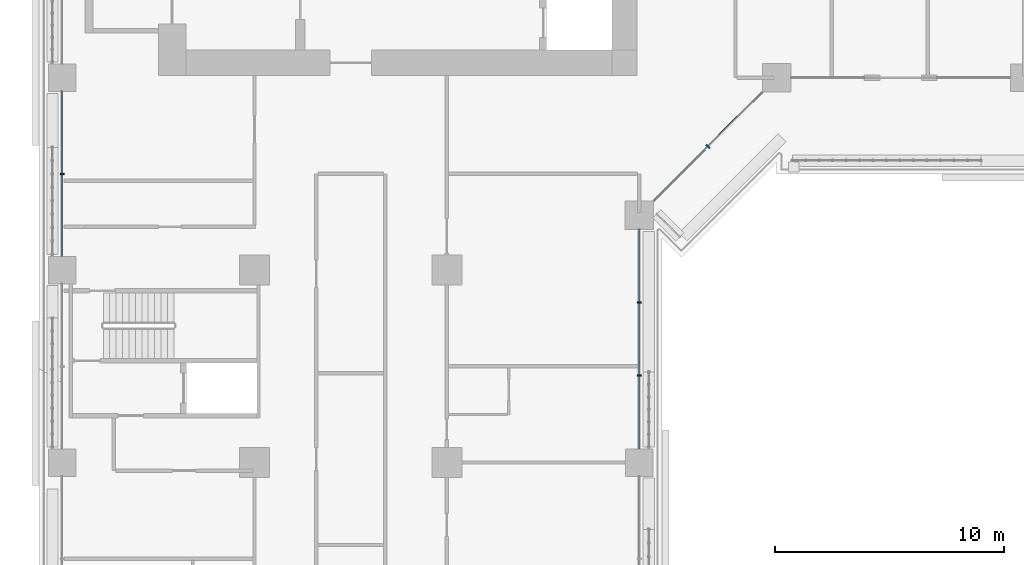
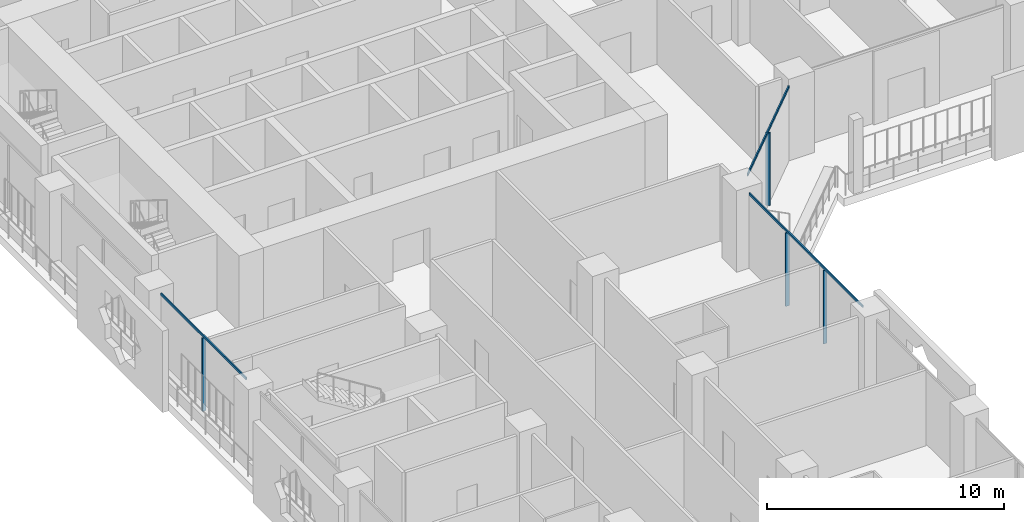
# One storey, part 4 of 28: 7 members, 3 elements without a shape of their own.
"""IFC4 building model written with IfcOpenShell, lengths in metres."""

import ifcopenshell
import ifcopenshell.guid

model = None  # the IFC model being written
_history = None  # IfcOwnerHistory: only IFC2X3 demands one
_inside = {}  # id of a spatial element -> (the spatial element, [elements in it])
_under = {}  # id of a project, library or spatial element -> (it, [spatial elements below it])
_declared = {}  # id of a project -> (the project, [libraries it declares])
_typed = {}  # id of a type object -> (the type object, [elements of that type])
_made_of = {}  # id of a material, layer set ... -> (it, [elements and type objects made of it])


def new_model(schema):
    """Start an empty IFC model of exactly this schema.

    Asked for "IFC4X3", IfcOpenShell would pick the latest addendum, in which some entities
    have other attributes; the version numbers below select the first issue.
    IFC2X3 requires an IfcOwnerHistory on every rooted entity: one is made here for all.
    """
    global model, _history
    if schema == "IFC4X3":
        model = ifcopenshell.file(schema_version=(4, 3, 0, 0))
    else:
        model = ifcopenshell.file(schema=schema)
    _inside.clear()
    _under.clear()
    _declared.clear()
    _typed.clear()
    _made_of.clear()
    _history = None
    if model.schema == "IFC2X3":
        org = make("IfcOrganization", Name="unknown")
        user = make(
            "IfcPersonAndOrganization",
            ThePerson=make("IfcPerson", FamilyName="unknown"),
            TheOrganization=org,
        )
        app = make(
            "IfcApplication",
            ApplicationDeveloper=org,
            Version="unknown",
            ApplicationFullName="unknown",
            ApplicationIdentifier="unknown",
        )
        _history = make(
            "IfcOwnerHistory",
            OwningUser=user,
            OwningApplication=app,
            ChangeAction="ADDED",
            CreationDate=0,
        )
    return model


def make(cls, **values):
    """One entity of the class cls with the attributes given. An attribute that is None is left unset."""
    return model.create_entity(
        cls, **{name: value for name, value in values.items() if value is not None}
    )


def rooted(cls, **values):
    """An entity with a GlobalId (a new one), such as an element, a storey or a relation."""
    return make(cls, GlobalId=ifcopenshell.guid.new(), OwnerHistory=_history, **values)


def si_unit(unit_type, name, prefix=None):
    """IfcSIUnit, for example si_unit("LENGTHUNIT", "METRE", prefix="MILLI")."""
    return make("IfcSIUnit", UnitType=unit_type, Prefix=prefix, Name=name)


def assignment(units):
    """IfcUnitAssignment: the units of a project."""
    return None if units is None else make("IfcUnitAssignment", Units=units)


def point(xyz):
    """IfcCartesianPoint."""
    return None if xyz is None else make("IfcCartesianPoint", Coordinates=xyz)


def direction(xyz):
    """IfcDirection."""
    return None if xyz is None else make("IfcDirection", DirectionRatios=xyz)


def frame(location, z_axis=None, x_axis=None):
    """IfcAxis2Placement3D, a coordinate frame: its origin and axes. An axis left out is left unset."""
    return make(
        "IfcAxis2Placement3D",
        Location=point(location),
        Axis=direction(z_axis),
        RefDirection=direction(x_axis),
    )


def frame_2d(location, x_axis=None):
    """IfcAxis2Placement2D, a coordinate frame in the plane: its origin and x axis."""
    return make(
        "IfcAxis2Placement2D", Location=point(location), RefDirection=direction(x_axis)
    )


def origin():
    """The frame at (0, 0, 0) with its axes left unset."""
    return frame((0.0, 0.0, 0.0))


def origin_2d():
    """The frame at (0, 0) in the plane with its x axis left unset."""
    return frame_2d((0.0, 0.0))


def place(relative_to, where):
    """IfcLocalPlacement: puts the frame where relative to a parent placement (None: the world)."""
    return make(
        "IfcLocalPlacement", PlacementRelTo=relative_to, RelativePlacement=where
    )


def context(
    kind, dimensions, precision=None, world=None, true_north=None, identifier=None
):
    """IfcGeometricRepresentationContext, for example the 3D "Model" context."""
    return make(
        "IfcGeometricRepresentationContext",
        ContextIdentifier=identifier,
        ContextType=kind,
        CoordinateSpaceDimension=dimensions,
        Precision=precision,
        WorldCoordinateSystem=world,
        TrueNorth=true_north,
    )


def subcontext(parent, identifier, kind, view, scale=None):
    """IfcGeometricRepresentationSubContext, for example "Body" below "Model"."""
    return make(
        "IfcGeometricRepresentationSubContext",
        ContextIdentifier=identifier,
        ContextType=kind,
        ParentContext=parent,
        TargetScale=scale,
        TargetView=view,
    )


def project(units=None, contexts=None):
    """IfcProject with its units and contexts."""
    return rooted(
        "IfcProject",
        Name="project",
        RepresentationContexts=contexts,
        UnitsInContext=assignment(units),
    )


def spatial(cls, under=None, at=None, **own):
    """A site, building, storey or space (cls), placed at a placement, below another one or the project."""
    s = rooted(cls, ObjectPlacement=at, **own)
    if under is not None:
        _under.setdefault(under.id(), (under, []))[1].append(s)
    return s


def profile(cls, at=None, kind="AREA", **sizes):
    """A parametric profile (cls). Its sizes go by their IFC names, for example OverallWidth=200.0."""
    return make(cls, ProfileType=kind, Position=at, **sizes)


def rectangle(**sizes):
    """IfcRectangleProfileDef."""
    return profile("IfcRectangleProfileDef", **sizes)


def extrude(swept, where, along, depth):
    """IfcExtrudedAreaSolid: the profile swept, set in the frame where, extruded along a direction by depth."""
    return make(
        "IfcExtrudedAreaSolid",
        SweptArea=swept,
        Position=where,
        ExtrudedDirection=direction(along),
        Depth=depth,
    )


def shape(context_of_items, identifier, shape_type, items):
    """IfcShapeRepresentation: the items that make up one representation, for example the "Body"."""
    return make(
        "IfcShapeRepresentation",
        ContextOfItems=context_of_items,
        RepresentationIdentifier=identifier,
        RepresentationType=shape_type,
        Items=items,
    )


def material(Name=None, Category=None):
    """IfcMaterial."""
    return make("IfcMaterial", Name=Name, Category=Category)


def layer(
    of_material, thickness, ventilated=None, Name=None, Category=None, Priority=None
):
    """IfcMaterialLayer: one layer of a wall or slab, of a material (None: an air gap)."""
    return make(
        "IfcMaterialLayer",
        Material=of_material,
        LayerThickness=thickness,
        IsVentilated=ventilated,
        Name=Name,
        Category=Category,
        Priority=Priority,
    )


def layer_set(layers, Name=None):
    """IfcMaterialLayerSet."""
    return make("IfcMaterialLayerSet", MaterialLayers=layers, LayerSetName=Name)


def material_profile(
    of_material, cross_section, Name=None, Category=None, Priority=None
):
    """IfcMaterialProfile: a cross section and its material."""
    return make(
        "IfcMaterialProfile",
        Name=Name,
        Material=of_material,
        Profile=cross_section,
        Priority=Priority,
        Category=Category,
    )


def profile_set(profiles, Name=None, composite=None):
    """IfcMaterialProfileSet."""
    return make(
        "IfcMaterialProfileSet",
        Name=Name,
        MaterialProfiles=profiles,
        CompositeProfile=composite,
    )


def made_of(thing, what):
    """Note that an element or type object is made of a material, layer set ...; save() writes the relation."""
    if what is not None:
        _made_of.setdefault(what.id(), (what, []))[1].append(thing)
    return thing


def type_object(cls, material=None, **own):
    """A type object (cls), such as IfcWallType, which elements share."""
    return made_of(rooted(cls, **own), material)


def element(
    cls,
    number,
    at=None,
    inside=None,
    cuts=None,
    type_object=None,
    material=None,
    context=None,
    identifier="Body",
    shape_type=None,
    held_by="IfcProductDefinitionShape",
    body=None,
    shapes=None,
    **own,
):
    """One element of the class cls, such as IfcWall. Its Tag is "e" and its number.

    at: its placement. inside: the storey or other place that contains it. cuts: it is an
    opening in that element (IfcRelVoidsElement). A single representation is given by context,
    identifier, shape_type and body (its items); several are given by shapes. held_by: the class
    of the entity that holds the representations. save() writes the other relations.
    """
    e = rooted(cls, Tag="e%d" % number, ObjectPlacement=at, **own)
    if body is not None:
        shapes = [shape(context, identifier, shape_type, body)]
    if shapes is not None:
        e.Representation = make(held_by, Representations=shapes)
    if inside is not None:
        _inside.setdefault(inside.id(), (inside, []))[1].append(e)
    if cuts is not None:
        rooted(
            "IfcRelVoidsElement", RelatingBuildingElement=cuts, RelatedOpeningElement=e
        )
    if type_object is not None:
        _typed.setdefault(type_object.id(), (type_object, []))[1].append(e)
    return made_of(e, material)


def aggregate(whole, parts):
    """IfcRelAggregates: a whole, such as a stair, and the parts it consists of."""
    return rooted("IfcRelAggregates", RelatingObject=whole, RelatedObjects=parts)


def save(model, path):
    """Write the relations noted so far, then the file.

    IfcRelAggregates (storeys below a building ...), IfcRelContainedInSpatialStructure (elements
    in a storey), IfcRelDefinesByType, IfcRelAssociatesMaterial and IfcRelDeclares: one each for
    every whole, place, type object, material and project.
    """
    for whole, parts in _under.values():
        aggregate(whole, parts)
    for where, things in _inside.values():
        rooted(
            "IfcRelContainedInSpatialStructure",
            RelatedElements=things,
            RelatingStructure=where,
        )
    for kind, things in _typed.values():
        rooted("IfcRelDefinesByType", RelatedObjects=things, RelatingType=kind)
    for what, things in _made_of.values():
        rooted("IfcRelAssociatesMaterial", RelatedObjects=things, RelatingMaterial=what)
    for by, libraries in _declared.values():
        rooted("IfcRelDeclares", RelatingContext=by, RelatedDefinitions=libraries)
    model.write(path)


model = new_model("IFC4")

# Units and contexts
model_context = context("Model", 3, precision=1e-05, world=origin(), true_north=direction((0.0, 1.0)))
body_context = subcontext(model_context, "Body", "Model", "MODEL_VIEW")
ifc_project = project(units=[si_unit("LENGTHUNIT", "METRE"), si_unit("AREAUNIT", "SQUARE_METRE"), si_unit("VOLUMEUNIT", "CUBIC_METRE"), si_unit("PLANEANGLEUNIT", "RADIAN"), si_unit("MASSUNIT", "GRAM", prefix="KILO")], contexts=[model_context])

# Site, building, storey
site_placement = place(None, origin())
site = spatial("IfcSite", under=ifc_project, at=site_placement, CompositionType="ELEMENT")
building_placement = place(site_placement, origin())
building = spatial("IfcBuilding", under=site, at=building_placement, Name="Kawkab Arch Medical Tower", CompositionType="ELEMENT")
storey_placement = place(building_placement, frame((0.0, 0.0, 77.0)))
storey = spatial("IfcBuildingStorey", under=building, at=storey_placement, Name="L17", CompositionType="ELEMENT", Elevation=77.0)

# Curtain wall, member
ifc_material_1 = material(Name="Bronze anodised aluminium curtain wall frame", Category="aluminium")
ifc_layer_1 = layer(ifc_material_1, 0.159912109375)
ifc_layer_set_1 = layer_set([ifc_layer_1], Name="Bronze anodised aluminium curtain wall frame")
curtain_wall_type_1 = type_object("IfcCurtainWallType", Name="CW1 ward curtain wall", PredefinedType="NOTDEFINED", material=ifc_layer_set_1)
placement = place(storey_placement, origin())
curtain_wall_1 = element("IfcCurtainWall", 1, at=placement, inside=storey, type_object=curtain_wall_type_1, Name="CW1 Ward curtain wall R01", PredefinedType="NOTDEFINED")
ifc_material_2 = material(Name="Bronze anodised aluminium curtain wall frame", Category="aluminium")
ifc_material_profile_1 = material_profile(ifc_material_2, rectangle(XDim=0.179931640625, YDim=0.06005859375, at=origin_2d()), Name="AL 60x180")
ifc_profile_set_1 = profile_set([ifc_material_profile_1], Name="Bronze anodised aluminium curtain wall frame")
member_type_1 = type_object("IfcMemberType", Name="CW1 mullion 60 x 180", PredefinedType="MULLION", material=ifc_profile_set_1)
member_1_placement = place(storey_placement, frame((0.0, -29.39990234375, 0.0), z_axis=(0.0, 0.0, 1.0), x_axis=(1.0, 0.0, 0.0)))
member_1 = element("IfcMember", 2, at=member_1_placement, type_object=member_type_1, Name="CW1 mullion 3.1", PredefinedType="MULLION", context=body_context, shape_type="SweptSolid", body=[
    extrude(rectangle(XDim=0.179931640625, YDim=0.06005859375, at=origin_2d()), origin(), (0.0, 0.0, 1.0), 3.780029296875),
])

# Curtain wall, members
curtain_wall_2 = element("IfcCurtainWall", 3, at=placement, inside=storey, type_object=curtain_wall_type_1, Name="CW1 Ward curtain wall R05", PredefinedType="NOTDEFINED")
member_2_placement = place(storey_placement, frame((25.199951171875, -38.208251953125, 0.0), z_axis=(0.0, 0.0, 1.0), x_axis=(-1.0, 0.0, 0.0)))
member_2 = element("IfcMember", 4, at=member_2_placement, type_object=member_type_1, Name="CW1 mullion 4.1", PredefinedType="MULLION", context=body_context, shape_type="SweptSolid", body=[
    extrude(rectangle(XDim=0.179931640625, YDim=0.06005859375, at=origin_2d()), origin(), (0.0, 0.0, 1.0), 3.780029296875),
])
member_3_placement = place(storey_placement, frame((25.199951171875, -35.0166015625, 0.0), z_axis=(0.0, 0.0, 1.0), x_axis=(-1.0, 0.0, 0.0)))
member_3 = element("IfcMember", 5, at=member_3_placement, type_object=member_type_1, Name="CW1 mullion 4.2", PredefinedType="MULLION", context=body_context, shape_type="SweptSolid", body=[
    extrude(rectangle(XDim=0.179931640625, YDim=0.06005859375, at=origin_2d()), origin(), (0.0, 0.0, 1.0), 3.780029296875),
])

# Member
ifc_material_3 = material(Name="Bronze anodised aluminium curtain wall frame", Category="aluminium")
ifc_material_profile_2 = material_profile(ifc_material_3, rectangle(XDim=0.06005859375, YDim=0.1201171875, at=origin_2d()), Name="AL 60x120")
ifc_profile_set_2 = profile_set([ifc_material_profile_2], Name="Bronze anodised aluminium curtain wall frame")
member_type_2 = type_object("IfcMemberType", Name="CW1 transom 120 x 60", PredefinedType="USERDEFINED", material=ifc_profile_set_2)
member_4_placement = place(storey_placement, frame((0.0, -25.800048828125, 3.840087890625), z_axis=(0.0, -1.0, 0.0), x_axis=(1.0, 0.0, 0.0)))
member_4 = element("IfcMember", 6, at=member_4_placement, type_object=member_type_2, Name="CW1 transom 3", ObjectType="TRANSOM", PredefinedType="USERDEFINED", context=body_context, shape_type="SweptSolid", body=[
    extrude(rectangle(XDim=0.06005859375, YDim=0.1201171875, at=origin_2d()), origin(), (0.0, 0.0, 1.0), 7.199951171875),
])

aggregate(curtain_wall_1, [member_4, member_1])

member_5_placement = place(storey_placement, frame((25.199951171875, -41.39990234375, 3.840087890625), z_axis=(0.0, 1.0, 0.0), x_axis=(-1.0, 0.0, 0.0)))
member_5 = element("IfcMember", 7, at=member_5_placement, type_object=member_type_2, Name="CW1 transom 4", ObjectType="TRANSOM", PredefinedType="USERDEFINED", context=body_context, shape_type="SweptSolid", body=[
    extrude(rectangle(XDim=0.06005859375, YDim=0.1201171875, at=origin_2d()), origin(), (0.0, 0.0, 1.0), 9.574951171875),
])

aggregate(curtain_wall_2, [member_5, member_2, member_3])

# Curtain wall, members
ifc_material_4 = material(Name="Bronze anodised aluminium curtain wall frame", Category="aluminium")
ifc_layer_2 = layer(ifc_material_4, 0.159912109375)
ifc_layer_set_2 = layer_set([ifc_layer_2], Name="Bronze anodised aluminium curtain wall frame")
curtain_wall_type_2 = type_object("IfcCurtainWallType", Name="CW2 chamfer curtain wall", PredefinedType="NOTDEFINED", material=ifc_layer_set_2)
curtain_wall_3 = element("IfcCurtainWall", 8, at=placement, inside=storey, type_object=curtain_wall_type_2, Name="CW2 Chamfer curtain wall R06", PredefinedType="NOTDEFINED")
ifc_material_5 = material(Name="Bronze anodised aluminium curtain wall frame", Category="aluminium")
ifc_material_profile_3 = material_profile(ifc_material_5, rectangle(XDim=0.199951171875, YDim=0.06005859375, at=origin_2d()), Name="AL 60x200")
ifc_profile_set_3 = profile_set([ifc_material_profile_3], Name="Bronze anodised aluminium curtain wall frame")
member_type_3 = type_object("IfcMemberType", Name="CW2 mullion 60 x 200", PredefinedType="MULLION", material=ifc_profile_set_3)
member_6_placement = place(storey_placement, frame((28.199951171875, -28.199951171875, 0.0), z_axis=(0.0, 0.0, 1.0), x_axis=(-0.707106781187, 0.707106781187, 0.0)))
member_6 = element("IfcMember", 9, at=member_6_placement, type_object=member_type_3, Name="CW2 mullion 1.1", PredefinedType="MULLION", context=body_context, shape_type="SweptSolid", body=[
    extrude(rectangle(XDim=0.199951171875, YDim=0.06005859375, at=origin_2d()), origin(), (0.0, 0.0, 1.0), 3.760009765625),
])
ifc_material_6 = material(Name="Bronze anodised aluminium curtain wall frame", Category="aluminium")
ifc_material_profile_4 = material_profile(ifc_material_6, rectangle(XDim=0.06005859375, YDim=0.139892578125, at=origin_2d()), Name="AL 60x140")
ifc_profile_set_4 = profile_set([ifc_material_profile_4], Name="Bronze anodised aluminium curtain wall frame")
member_type_4 = type_object("IfcMemberType", Name="CW2 transom 140 x 60", PredefinedType="USERDEFINED", material=ifc_profile_set_4)
member_7_placement = place(storey_placement, frame((25.824951171875, -30.574951171875, 3.830078125), z_axis=(0.707106781187, 0.707106781187, 0.0), x_axis=(-0.707106781187, 0.707106781187, 0.0)))
member_7 = element("IfcMember", 10, at=member_7_placement, type_object=member_type_4, Name="CW2 transom 1", ObjectType="TRANSOM", PredefinedType="USERDEFINED", context=body_context, shape_type="SweptSolid", body=[
    extrude(rectangle(XDim=0.06005859375, YDim=0.139892578125, at=origin_2d()), origin(), (0.0, 0.0, 1.0), 6.717529296875),
])
aggregate(curtain_wall_3, [member_7, member_6])

save(model, "model.ifc")
